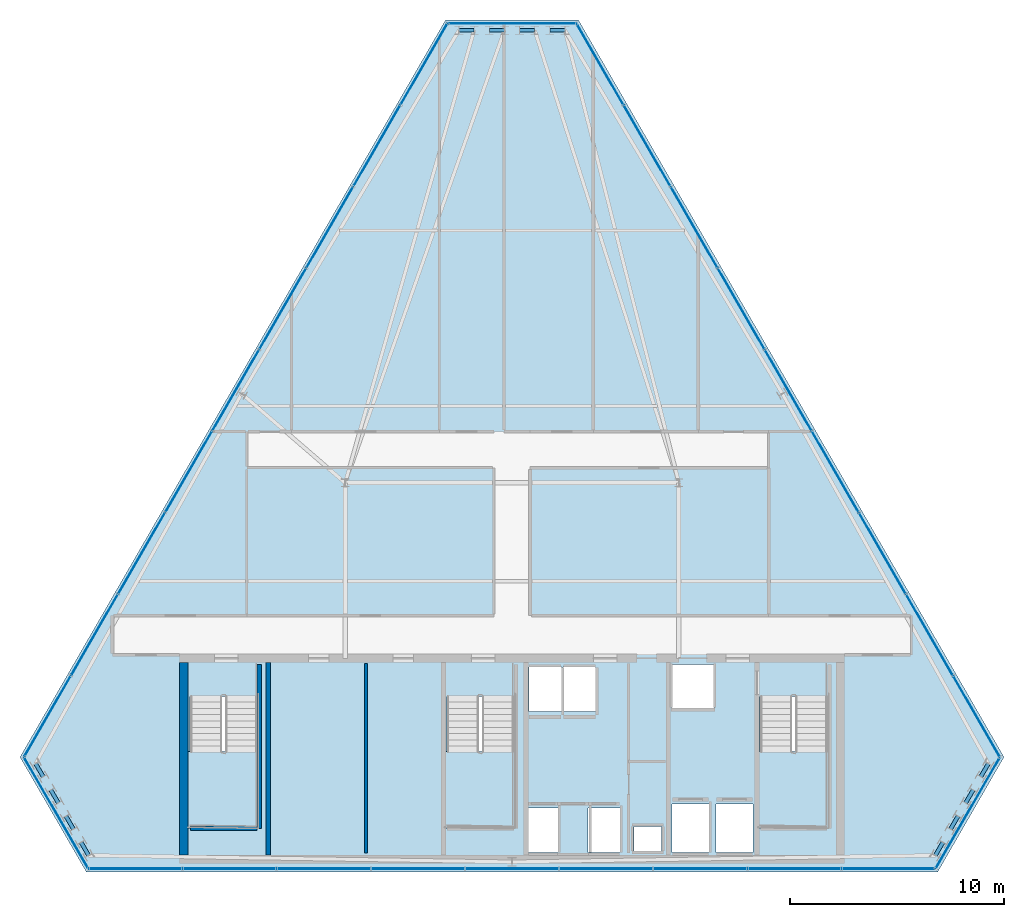
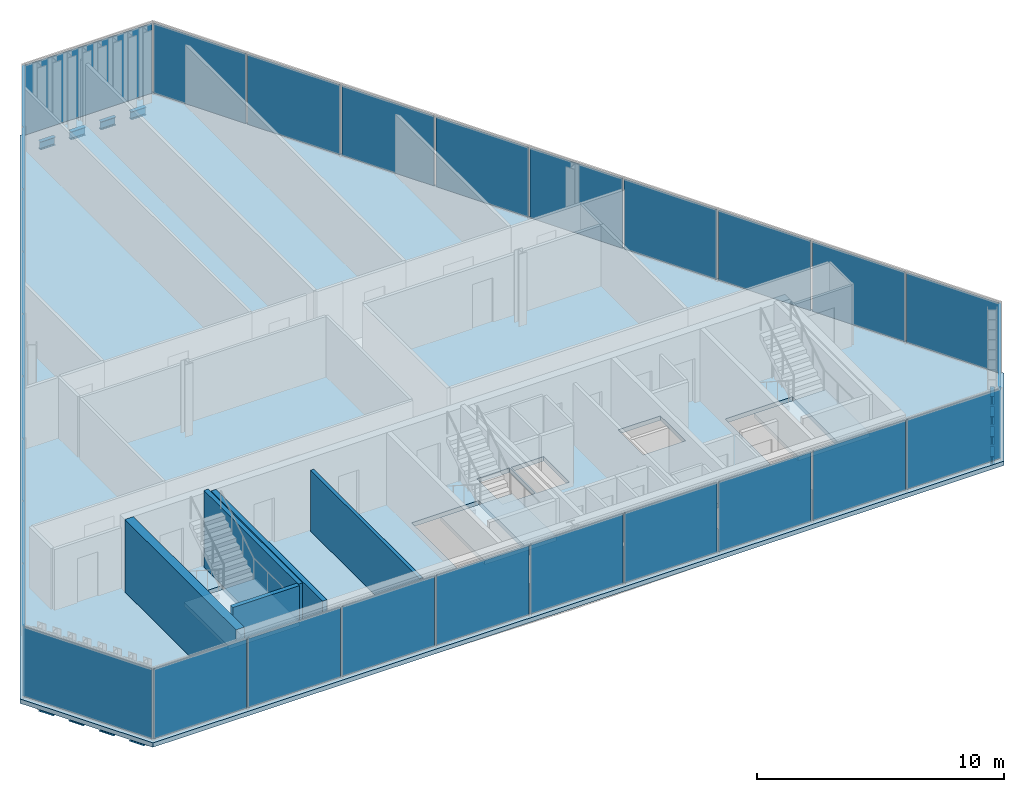
# One storey, part 26 of 32: 30 plates, 12 beams, 5 walls, 4 slabs, 9 elements without a shape of their own.
"""IFC4 building model written with IfcOpenShell, lengths in metres."""

from ifc_helpers import new_model, si_unit, direction, frame, frame_2d, origin, origin_2d, place, context, subcontext, project, spatial, polyline, rectangle, i_section, outline, extrude, material, layer, layer_set, material_profile, profile_set, type_object, element, aggregate, save


model = new_model("IFC4")

# Units and contexts
model_context = context("Model", 3, precision=1e-05, world=origin(), true_north=direction((0.0, 1.0)))
body_context = subcontext(model_context, "Body", "Model", "MODEL_VIEW")
ifc_project = project(units=[si_unit("LENGTHUNIT", "METRE"), si_unit("AREAUNIT", "SQUARE_METRE"), si_unit("VOLUMEUNIT", "CUBIC_METRE"), si_unit("PLANEANGLEUNIT", "RADIAN"), si_unit("MASSUNIT", "GRAM", prefix="KILO")], contexts=[model_context])

# Site, building, storey
site_placement = place(None, origin())
site = spatial("IfcSite", under=ifc_project, at=site_placement, CompositionType="ELEMENT")
building_placement = place(site_placement, origin())
building = spatial("IfcBuilding", under=site, at=building_placement, Name="Ndaravel Arena Tower", CompositionType="ELEMENT")
storey_placement = place(building_placement, frame((0.0, 0.0, 256.0)))
storey = spatial("IfcBuildingStorey", under=building, at=storey_placement, Name="L62", CompositionType="ELEMENT", Elevation=256.0)

# Beams
ifc_material_1 = material(Name="Steel S355", Category="steel")
ifc_material_profile = material_profile(ifc_material_1, i_section(OverallWidth=0.179931640625, OverallDepth=0.39990234375, WebThickness=0.008544921875, FlangeThickness=0.013427734375, FilletRadius=0.02099609375, at=origin_2d()), Name="IPE 400")
ifc_profile_set = profile_set([ifc_material_profile], Name="Steel S355")
beam_type = type_object("IfcBeamType", Name="BM-SPAN-IPE400", PredefinedType="SPANDREL", material=ifc_profile_set)
for number, where, z_axis, x_axis, name in (
    (1, (61.794921875, 5.7861328125, -0.419921875), (0.500110831701, 0.865961405616, 0.0), (-0.865961405616, 0.500110831701, 0.0), "L62 Perimeter Spandrel Beam SP-02"),
    (2, (62.502197265625, 7.01123046875, -0.419921875), (0.499851946404, 0.866110865696, 0.0), (-0.866110865696, 0.499851946404, 0.0), "L62 Perimeter Spandrel Beam SP-04"),
    (3, (63.20947265625, 8.236083984375, -0.419921875), (0.499851946404, 0.866110865696, 0.0), (-0.866110865696, 0.499851946404, 0.0), "L62 Perimeter Spandrel Beam SP-06"),
):
    element("IfcBeam", number, at=place(storey_placement, frame(where, z_axis=z_axis, x_axis=x_axis)), inside=storey, type_object=beam_type, Name=name, PredefinedType="SPANDREL", context=body_context, shape_type="SweptSolid", body=[
        extrude(i_section(OverallWidth=0.179931640625, OverallDepth=0.39990234375, WebThickness=0.008544921875, FlangeThickness=0.013427734375, FilletRadius=0.02099609375, at=origin_2d()), origin(), (0.0, 0.0, 1.0), 0.707275390625),
    ])
beam_1_placement = place(storey_placement, frame((63.916748046875, 9.461181640625, -0.419921875), z_axis=(0.500001430823, 0.866024577697, 0.0), x_axis=(-0.866024577697, 0.500001430823, 0.0)))
element("IfcBeam", 4, at=beam_1_placement, inside=storey, type_object=beam_type, Name="L62 Perimeter Spandrel Beam SP-08", PredefinedType="SPANDREL", context=body_context, shape_type="SweptSolid", body=[
    extrude(i_section(OverallWidth=0.179931640625, OverallDepth=0.39990234375, WebThickness=0.008544921875, FlangeThickness=0.013427734375, FilletRadius=0.02099609375, at=origin_2d()), origin(), (0.0, 0.0, 1.0), 0.70703125),
])
for number, where, z_axis, x_axis, name in (
    (5, (44.475341796875, 44.359619140625, -0.419921875), (-1.0, 0.0, 0.0), (0.0, -1.0, 0.0), "L62 Perimeter Spandrel Beam SP-11"),
    (6, (43.060791015625, 44.359619140625, -0.419921875), (-1.0, 0.0, 0.0), (0.0, -1.0, 0.0), "L62 Perimeter Spandrel Beam SP-13"),
    (7, (41.646484375, 44.359619140625, -0.419921875), (-1.0, 0.0, 0.0), (0.0, -1.0, 0.0), "L62 Perimeter Spandrel Beam SP-15"),
    (8, (40.23193359375, 44.359619140625, -0.419921875), (-1.0, 0.0, 0.0), (0.0, -1.0, 0.0), "L62 Perimeter Spandrel Beam SP-17"),
):
    element("IfcBeam", number, at=place(storey_placement, frame(where, z_axis=z_axis, x_axis=x_axis)), inside=storey, type_object=beam_type, Name=name, PredefinedType="SPANDREL", context=body_context, shape_type="SweptSolid", body=[
        extrude(i_section(OverallWidth=0.179931640625, OverallDepth=0.39990234375, WebThickness=0.008544921875, FlangeThickness=0.013427734375, FilletRadius=0.02099609375, at=origin_2d()), origin(), (0.0, 0.0, 1.0), 0.707275390625),
    ])
beam_2_placement = place(storey_placement, frame((19.729736328125, 10.073486328125, -0.419921875), z_axis=(0.500001430823, -0.866024577697, 0.0), x_axis=(0.866024577697, 0.500001430823, 0.0)))
element("IfcBeam", 9, at=beam_2_placement, inside=storey, type_object=beam_type, Name="L62 Perimeter Spandrel Beam SP-20", PredefinedType="SPANDREL", context=body_context, shape_type="SweptSolid", body=[
    extrude(i_section(OverallWidth=0.179931640625, OverallDepth=0.39990234375, WebThickness=0.008544921875, FlangeThickness=0.013427734375, FilletRadius=0.02099609375, at=origin_2d()), origin(), (0.0, 0.0, 1.0), 0.70703125),
])
for number, where, z_axis, x_axis, name in (
    (10, (20.43701171875, 8.8486328125, -0.419921875), (0.499851946404, -0.866110865696, 0.0), (0.866110865696, 0.499851946404, 0.0), "L62 Perimeter Spandrel Beam SP-22"),
    (11, (21.144287109375, 7.623779296875, -0.419921875), (0.499851946404, -0.866110865696, 0.0), (0.866110865696, 0.499851946404, 0.0), "L62 Perimeter Spandrel Beam SP-24"),
    (12, (21.851318359375, 6.398681640625, -0.419921875), (0.500110831701, -0.865961405616, 0.0), (0.865961405616, 0.500110831701, 0.0), "L62 Perimeter Spandrel Beam SP-26"),
):
    element("IfcBeam", number, at=place(storey_placement, frame(where, z_axis=z_axis, x_axis=x_axis)), inside=storey, type_object=beam_type, Name=name, PredefinedType="SPANDREL", context=body_context, shape_type="SweptSolid", body=[
        extrude(i_section(OverallWidth=0.179931640625, OverallDepth=0.39990234375, WebThickness=0.008544921875, FlangeThickness=0.013427734375, FilletRadius=0.02099609375, at=origin_2d()), origin(), (0.0, 0.0, 1.0), 0.707275390625),
    ])

# Curtain wall, plate
ifc_material_2 = material(Name="Aluminium", Category="aluminium")
ifc_layer_1 = layer(ifc_material_2, 0.179931640625)
ifc_layer_set_1 = layer_set([ifc_layer_1], Name="Aluminium")
curtain_wall_type_1 = type_object("IfcCurtainWallType", Name="CW-SYS-01", PredefinedType="NOTDEFINED", material=ifc_layer_set_1)
curtain_wall_1_placement = place(storey_placement, origin())
curtain_wall_1 = element("IfcCurtainWall", 13, at=curtain_wall_1_placement, inside=storey, type_object=curtain_wall_type_1, Name="L62 Faceted Crystal Curtain Wall CW-L62-E02", PredefinedType="NOTDEFINED")
ifc_material_3 = material(Name="Glazing", Category="glass")
ifc_layer_2 = layer(ifc_material_3, 0.031982421875)
ifc_layer_set_2 = layer_set([ifc_layer_2], Name="Glazing")
plate_type_1 = type_object("IfcPlateType", Name="PLT-GLZ-FRIT35", PredefinedType="CURTAIN_PANEL", material=ifc_layer_set_2)
plate_1_placement = place(storey_placement, frame((63.309814453125, 7.77001953125, 0.06005859375), z_axis=(0.0, 0.0, 1.0), x_axis=(0.5, 0.866025403784, 0.0)))
plate_1 = element("IfcPlate", 14, at=plate_1_placement, type_object=plate_type_1, Name="CW-L62-E02 Vision Glass Panel 01", PredefinedType="CURTAIN_PANEL", context=body_context, shape_type="SweptSolid", body=[
    extrude(rectangle(XDim=5.947265625, YDim=0.035888671875, at=origin_2d()), origin(), (0.0, 0.0, 1.0), 3.4599609375),
])
aggregate(curtain_wall_1, [plate_1])

curtain_wall_2_placement = place(storey_placement, origin())
curtain_wall_2 = element("IfcCurtainWall", 15, at=curtain_wall_2_placement, inside=storey, type_object=curtain_wall_type_1, Name="L62 Faceted Crystal Curtain Wall CW-L62-E04", PredefinedType="NOTDEFINED")
plate_2_placement = place(storey_placement, frame((42.0, 44.679443359375, 0.06005859375), z_axis=(0.0, 0.0, 1.0), x_axis=(-1.0, 0.0, 0.0)))
plate_2 = element("IfcPlate", 16, at=plate_2_placement, type_object=plate_type_1, Name="CW-L62-E04 Vision Glass Panel 01", PredefinedType="CURTAIN_PANEL", context=body_context, shape_type="SweptSolid", body=[
    extrude(rectangle(XDim=5.947509765625, YDim=0.035888671875, at=origin_2d()), origin(), (0.0, 0.0, 1.0), 3.4599609375),
])
aggregate(curtain_wall_2, [plate_2])

ifc_material_4 = material(Name="Aluminium", Category="aluminium")
ifc_layer_3 = layer(ifc_material_4, 0.179931640625)
ifc_layer_set_3 = layer_set([ifc_layer_3], Name="Aluminium")
curtain_wall_type_2 = type_object("IfcCurtainWallType", Name="CW-SYS-02", PredefinedType="NOTDEFINED", material=ifc_layer_set_3)
curtain_wall_3_placement = place(storey_placement, origin())
curtain_wall_3 = element("IfcCurtainWall", 17, at=curtain_wall_3_placement, inside=storey, type_object=curtain_wall_type_2, Name="L62 Faceted Crystal Curtain Wall CW-L62-E06", PredefinedType="NOTDEFINED")
ifc_material_5 = material(Name="Glazing", Category="glass")
ifc_layer_4 = layer(ifc_material_5, 0.035888671875)
ifc_layer_set_4 = layer_set([ifc_layer_4], Name="Glazing")
plate_type_2 = type_object("IfcPlateType", Name="PLT-GLZ-FRIT55", PredefinedType="CURTAIN_PANEL", material=ifc_layer_set_4)
plate_3_placement = place(storey_placement, frame((20.690185546875, 7.77001953125, 0.06005859375), z_axis=(0.0, 0.0, 1.0), x_axis=(0.5, -0.866025403784, 0.0)))
plate_3 = element("IfcPlate", 18, at=plate_3_placement, type_object=plate_type_2, Name="CW-L62-E06 Vision Glass Panel 01", PredefinedType="CURTAIN_PANEL", context=body_context, shape_type="SweptSolid", body=[
    extrude(rectangle(XDim=5.947265625, YDim=0.035888671875, at=origin_2d()), origin(), (0.0, 0.0, 1.0), 3.4599609375),
])
aggregate(curtain_wall_3, [plate_3])

# Curtain wall, plates
ifc_material_6 = material(Name="Aluminium", Category="aluminium")
ifc_layer_5 = layer(ifc_material_6, 0.179931640625)
ifc_layer_set_5 = layer_set([ifc_layer_5], Name="Aluminium")
curtain_wall_type_3 = type_object("IfcCurtainWallType", Name="CW-SYS-03", PredefinedType="NOTDEFINED", material=ifc_layer_set_5)
curtain_wall_4_placement = place(storey_placement, origin())
curtain_wall_4 = element("IfcCurtainWall", 19, at=curtain_wall_4_placement, inside=storey, type_object=curtain_wall_type_3, Name="L62 Faceted Crystal Curtain Wall CW-L62-E01", PredefinedType="NOTDEFINED")
ifc_material_7 = material(Name="Glazing", Category="glass")
ifc_layer_6 = layer(ifc_material_7, 0.0400390625)
ifc_layer_set_6 = layer_set([ifc_layer_6], Name="Glazing")
plate_type_3 = type_object("IfcPlateType", Name="PLT-GLZ-LOWIRON", PredefinedType="CURTAIN_PANEL", material=ifc_layer_set_6)
plate_4_placement = place(storey_placement, frame((24.3974609375, 5.159912109375, 0.06005859375), z_axis=(0.0, 0.0, 1.0), x_axis=(1.0, 0.0, 0.0)))
plate_4 = element("IfcPlate", 20, at=plate_4_placement, type_object=plate_type_3, Name="CW-L62-E01 Vision Glass Panel 01", PredefinedType="CURTAIN_PANEL", context=body_context, shape_type="SweptSolid", body=[
    extrude(rectangle(XDim=4.320556640625, YDim=0.035888671875, at=origin_2d()), origin(), (0.0, 0.0, 1.0), 3.4599609375),
])
plate_5_placement = place(storey_placement, frame((28.798095703125, 5.159912109375, 0.06005859375), z_axis=(0.0, 0.0, 1.0), x_axis=(1.0, 0.0, 0.0)))
plate_5 = element("IfcPlate", 21, at=plate_5_placement, type_object=plate_type_3, Name="CW-L62-E01 Vision Glass Panel 02", PredefinedType="CURTAIN_PANEL", context=body_context, shape_type="SweptSolid", body=[
    extrude(rectangle(XDim=4.320556640625, YDim=0.035888671875, at=origin_2d()), origin(), (0.0, 0.0, 1.0), 3.4599609375),
])
plate_6_placement = place(storey_placement, frame((33.19873046875, 5.159912109375, 0.06005859375), z_axis=(0.0, 0.0, 1.0), x_axis=(1.0, 0.0, 0.0)))
plate_6 = element("IfcPlate", 22, at=plate_6_placement, type_object=plate_type_3, Name="CW-L62-E01 Vision Glass Panel 03", PredefinedType="CURTAIN_PANEL", context=body_context, shape_type="SweptSolid", body=[
    extrude(rectangle(XDim=4.320556640625, YDim=0.035888671875, at=origin_2d()), origin(), (0.0, 0.0, 1.0), 3.4599609375),
])
plate_7_placement = place(storey_placement, frame((37.599365234375, 5.159912109375, 0.06005859375), z_axis=(0.0, 0.0, 1.0), x_axis=(1.0, 0.0, 0.0)))
plate_7 = element("IfcPlate", 23, at=plate_7_placement, type_object=plate_type_3, Name="CW-L62-E01 Vision Glass Panel 04", PredefinedType="CURTAIN_PANEL", context=body_context, shape_type="SweptSolid", body=[
    extrude(rectangle(XDim=4.320556640625, YDim=0.035888671875, at=origin_2d()), origin(), (0.0, 0.0, 1.0), 3.4599609375),
])
plate_8_placement = place(storey_placement, frame((42.0, 5.159912109375, 0.06005859375), z_axis=(0.0, 0.0, 1.0), x_axis=(1.0, 0.0, 0.0)))
plate_8 = element("IfcPlate", 24, at=plate_8_placement, type_object=plate_type_3, Name="CW-L62-E01 Vision Glass Panel 05", PredefinedType="CURTAIN_PANEL", context=body_context, shape_type="SweptSolid", body=[
    extrude(rectangle(XDim=4.320556640625, YDim=0.035888671875, at=origin_2d()), origin(), (0.0, 0.0, 1.0), 3.4599609375),
])
plate_9_placement = place(storey_placement, frame((46.400634765625, 5.159912109375, 0.06005859375), z_axis=(0.0, 0.0, 1.0), x_axis=(1.0, 0.0, 0.0)))
plate_9 = element("IfcPlate", 25, at=plate_9_placement, type_object=plate_type_3, Name="CW-L62-E01 Vision Glass Panel 06", PredefinedType="CURTAIN_PANEL", context=body_context, shape_type="SweptSolid", body=[
    extrude(rectangle(XDim=4.320556640625, YDim=0.035888671875, at=origin_2d()), origin(), (0.0, 0.0, 1.0), 3.4599609375),
])
plate_10_placement = place(storey_placement, frame((50.80126953125, 5.159912109375, 0.06005859375), z_axis=(0.0, 0.0, 1.0), x_axis=(1.0, 0.0, 0.0)))
plate_10 = element("IfcPlate", 26, at=plate_10_placement, type_object=plate_type_3, Name="CW-L62-E01 Vision Glass Panel 07", PredefinedType="CURTAIN_PANEL", context=body_context, shape_type="SweptSolid", body=[
    extrude(rectangle(XDim=4.320556640625, YDim=0.035888671875, at=origin_2d()), origin(), (0.0, 0.0, 1.0), 3.4599609375),
])
plate_11_placement = place(storey_placement, frame((55.201904296875, 5.159912109375, 0.06005859375), z_axis=(0.0, 0.0, 1.0), x_axis=(1.0, 0.0, 0.0)))
plate_11 = element("IfcPlate", 27, at=plate_11_placement, type_object=plate_type_3, Name="CW-L62-E01 Vision Glass Panel 08", PredefinedType="CURTAIN_PANEL", context=body_context, shape_type="SweptSolid", body=[
    extrude(rectangle(XDim=4.320556640625, YDim=0.035888671875, at=origin_2d()), origin(), (0.0, 0.0, 1.0), 3.4599609375),
])
plate_12_placement = place(storey_placement, frame((59.6025390625, 5.159912109375, 0.06005859375), z_axis=(0.0, 0.0, 1.0), x_axis=(1.0, 0.0, 0.0)))
plate_12 = element("IfcPlate", 28, at=plate_12_placement, type_object=plate_type_3, Name="CW-L62-E01 Vision Glass Panel 09", PredefinedType="CURTAIN_PANEL", context=body_context, shape_type="SweptSolid", body=[
    extrude(rectangle(XDim=4.320556640625, YDim=0.035888671875, at=origin_2d()), origin(), (0.0, 0.0, 1.0), 3.4599609375),
])
aggregate(curtain_wall_4, [plate_4, plate_5, plate_6, plate_7, plate_8, plate_9, plate_10, plate_11, plate_12])

curtain_wall_5_placement = place(storey_placement, origin())
curtain_wall_5 = element("IfcCurtainWall", 29, at=curtain_wall_5_placement, inside=storey, type_object=curtain_wall_type_3, Name="L62 Faceted Crystal Curtain Wall CW-L62-E03", PredefinedType="NOTDEFINED")
plate_13_placement = place(storey_placement, frame((63.71630859375, 12.285400390625, 0.06005859375), z_axis=(0.0, 0.0, 1.0), x_axis=(-0.5, 0.866025403784, 0.0)))
plate_13 = element("IfcPlate", 30, at=plate_13_placement, type_object=plate_type_3, Name="CW-L62-E03 Vision Glass Panel 01", PredefinedType="CURTAIN_PANEL", context=body_context, shape_type="SweptSolid", body=[
    extrude(rectangle(XDim=4.32080078125, YDim=0.035888671875, at=origin_2d()), origin(), (0.0, 0.0, 1.0), 3.4599609375),
])
plate_14_placement = place(storey_placement, frame((61.51611328125, 16.096435546875, 0.06005859375), z_axis=(0.0, 0.0, 1.0), x_axis=(-0.5, 0.866025403784, 0.0)))
plate_14 = element("IfcPlate", 31, at=plate_14_placement, type_object=plate_type_3, Name="CW-L62-E03 Vision Glass Panel 02", PredefinedType="CURTAIN_PANEL", context=body_context, shape_type="SweptSolid", body=[
    extrude(rectangle(XDim=4.32080078125, YDim=0.035888671875, at=origin_2d()), origin(), (0.0, 0.0, 1.0), 3.4599609375),
])
plate_15_placement = place(storey_placement, frame((59.31591796875, 19.907470703125, 0.06005859375), z_axis=(0.0, 0.0, 1.0), x_axis=(-0.5, 0.866025403784, 0.0)))
plate_15 = element("IfcPlate", 32, at=plate_15_placement, type_object=plate_type_3, Name="CW-L62-E03 Vision Glass Panel 03", PredefinedType="CURTAIN_PANEL", context=body_context, shape_type="SweptSolid", body=[
    extrude(rectangle(XDim=4.32080078125, YDim=0.035888671875, at=origin_2d()), origin(), (0.0, 0.0, 1.0), 3.4599609375),
])
plate_16_placement = place(storey_placement, frame((57.115478515625, 23.718505859375, 0.06005859375), z_axis=(0.0, 0.0, 1.0), x_axis=(-0.5, 0.866025403784, 0.0)))
plate_16 = element("IfcPlate", 33, at=plate_16_placement, type_object=plate_type_3, Name="CW-L62-E03 Vision Glass Panel 04", PredefinedType="CURTAIN_PANEL", context=body_context, shape_type="SweptSolid", body=[
    extrude(rectangle(XDim=4.32080078125, YDim=0.035888671875, at=origin_2d()), origin(), (0.0, 0.0, 1.0), 3.4599609375),
])
plate_17_placement = place(storey_placement, frame((54.9150390625, 27.52978515625, 0.06005859375), z_axis=(0.0, 0.0, 1.0), x_axis=(-0.5, 0.866025403784, 0.0)))
plate_17 = element("IfcPlate", 34, at=plate_17_placement, type_object=plate_type_3, Name="CW-L62-E03 Vision Glass Panel 05", PredefinedType="CURTAIN_PANEL", context=body_context, shape_type="SweptSolid", body=[
    extrude(rectangle(XDim=4.32080078125, YDim=0.035888671875, at=origin_2d()), origin(), (0.0, 0.0, 1.0), 3.4599609375),
])
plate_18_placement = place(storey_placement, frame((52.71484375, 31.3408203125, 0.06005859375), z_axis=(0.0, 0.0, 1.0), x_axis=(-0.5, 0.866025403784, 0.0)))
plate_18 = element("IfcPlate", 35, at=plate_18_placement, type_object=plate_type_3, Name="CW-L62-E03 Vision Glass Panel 06", PredefinedType="CURTAIN_PANEL", context=body_context, shape_type="SweptSolid", body=[
    extrude(rectangle(XDim=4.32080078125, YDim=0.035888671875, at=origin_2d()), origin(), (0.0, 0.0, 1.0), 3.4599609375),
])
plate_19_placement = place(storey_placement, frame((50.514404296875, 35.15185546875, 0.06005859375), z_axis=(0.0, 0.0, 1.0), x_axis=(-0.5, 0.866025403784, 0.0)))
plate_19 = element("IfcPlate", 36, at=plate_19_placement, type_object=plate_type_3, Name="CW-L62-E03 Vision Glass Panel 07", PredefinedType="CURTAIN_PANEL", context=body_context, shape_type="SweptSolid", body=[
    extrude(rectangle(XDim=4.32080078125, YDim=0.035888671875, at=origin_2d()), origin(), (0.0, 0.0, 1.0), 3.4599609375),
])
plate_20_placement = place(storey_placement, frame((48.314208984375, 38.962890625, 0.06005859375), z_axis=(0.0, 0.0, 1.0), x_axis=(-0.5, 0.866025403784, 0.0)))
plate_20 = element("IfcPlate", 37, at=plate_20_placement, type_object=plate_type_3, Name="CW-L62-E03 Vision Glass Panel 08", PredefinedType="CURTAIN_PANEL", context=body_context, shape_type="SweptSolid", body=[
    extrude(rectangle(XDim=4.32080078125, YDim=0.035888671875, at=origin_2d()), origin(), (0.0, 0.0, 1.0), 3.4599609375),
])
plate_21_placement = place(storey_placement, frame((46.114013671875, 42.77392578125, 0.06005859375), z_axis=(0.0, 0.0, 1.0), x_axis=(-0.5, 0.866025403784, 0.0)))
plate_21 = element("IfcPlate", 38, at=plate_21_placement, type_object=plate_type_3, Name="CW-L62-E03 Vision Glass Panel 09", PredefinedType="CURTAIN_PANEL", context=body_context, shape_type="SweptSolid", body=[
    extrude(rectangle(XDim=4.32080078125, YDim=0.035888671875, at=origin_2d()), origin(), (0.0, 0.0, 1.0), 3.4599609375),
])
aggregate(curtain_wall_5, [plate_13, plate_14, plate_15, plate_16, plate_17, plate_18, plate_19, plate_20, plate_21])

curtain_wall_6_placement = place(storey_placement, origin())
curtain_wall_6 = element("IfcCurtainWall", 39, at=curtain_wall_6_placement, inside=storey, type_object=curtain_wall_type_3, Name="L62 Faceted Crystal Curtain Wall CW-L62-E05", PredefinedType="NOTDEFINED")
plate_22_placement = place(storey_placement, frame((37.885986328125, 42.77392578125, 0.06005859375), z_axis=(0.0, 0.0, 1.0), x_axis=(-0.5, -0.866025403784, 0.0)))
plate_22 = element("IfcPlate", 40, at=plate_22_placement, type_object=plate_type_3, Name="CW-L62-E05 Vision Glass Panel 01", PredefinedType="CURTAIN_PANEL", context=body_context, shape_type="SweptSolid", body=[
    extrude(rectangle(XDim=4.32080078125, YDim=0.035888671875, at=origin_2d()), origin(), (0.0, 0.0, 1.0), 3.4599609375),
])
plate_23_placement = place(storey_placement, frame((35.685791015625, 38.962890625, 0.06005859375), z_axis=(0.0, 0.0, 1.0), x_axis=(-0.5, -0.866025403784, 0.0)))
plate_23 = element("IfcPlate", 41, at=plate_23_placement, type_object=plate_type_3, Name="CW-L62-E05 Vision Glass Panel 02", PredefinedType="CURTAIN_PANEL", context=body_context, shape_type="SweptSolid", body=[
    extrude(rectangle(XDim=4.32080078125, YDim=0.035888671875, at=origin_2d()), origin(), (0.0, 0.0, 1.0), 3.4599609375),
])
plate_24_placement = place(storey_placement, frame((33.485595703125, 35.15185546875, 0.06005859375), z_axis=(0.0, 0.0, 1.0), x_axis=(-0.5, -0.866025403784, 0.0)))
plate_24 = element("IfcPlate", 42, at=plate_24_placement, type_object=plate_type_3, Name="CW-L62-E05 Vision Glass Panel 03", PredefinedType="CURTAIN_PANEL", context=body_context, shape_type="SweptSolid", body=[
    extrude(rectangle(XDim=4.32080078125, YDim=0.035888671875, at=origin_2d()), origin(), (0.0, 0.0, 1.0), 3.4599609375),
])
plate_25_placement = place(storey_placement, frame((31.28515625, 31.3408203125, 0.06005859375), z_axis=(0.0, 0.0, 1.0), x_axis=(-0.5, -0.866025403784, 0.0)))
plate_25 = element("IfcPlate", 43, at=plate_25_placement, type_object=plate_type_3, Name="CW-L62-E05 Vision Glass Panel 04", PredefinedType="CURTAIN_PANEL", context=body_context, shape_type="SweptSolid", body=[
    extrude(rectangle(XDim=4.32080078125, YDim=0.035888671875, at=origin_2d()), origin(), (0.0, 0.0, 1.0), 3.4599609375),
])
plate_26_placement = place(storey_placement, frame((29.084716796875, 27.529541015625, 0.06005859375), z_axis=(0.0, 0.0, 1.0), x_axis=(-0.5, -0.866025403784, 0.0)))
plate_26 = element("IfcPlate", 44, at=plate_26_placement, type_object=plate_type_3, Name="CW-L62-E05 Vision Glass Panel 05", PredefinedType="CURTAIN_PANEL", context=body_context, shape_type="SweptSolid", body=[
    extrude(rectangle(XDim=4.32080078125, YDim=0.035888671875, at=origin_2d()), origin(), (0.0, 0.0, 1.0), 3.4599609375),
])
plate_27_placement = place(storey_placement, frame((26.884521484375, 23.718505859375, 0.06005859375), z_axis=(0.0, 0.0, 1.0), x_axis=(-0.5, -0.866025403784, 0.0)))
plate_27 = element("IfcPlate", 45, at=plate_27_placement, type_object=plate_type_3, Name="CW-L62-E05 Vision Glass Panel 06", PredefinedType="CURTAIN_PANEL", context=body_context, shape_type="SweptSolid", body=[
    extrude(rectangle(XDim=4.32080078125, YDim=0.035888671875, at=origin_2d()), origin(), (0.0, 0.0, 1.0), 3.4599609375),
])
plate_28_placement = place(storey_placement, frame((24.68408203125, 19.907470703125, 0.06005859375), z_axis=(0.0, 0.0, 1.0), x_axis=(-0.5, -0.866025403784, 0.0)))
plate_28 = element("IfcPlate", 46, at=plate_28_placement, type_object=plate_type_3, Name="CW-L62-E05 Vision Glass Panel 07", PredefinedType="CURTAIN_PANEL", context=body_context, shape_type="SweptSolid", body=[
    extrude(rectangle(XDim=4.32080078125, YDim=0.035888671875, at=origin_2d()), origin(), (0.0, 0.0, 1.0), 3.4599609375),
])
plate_29_placement = place(storey_placement, frame((22.48388671875, 16.096435546875, 0.06005859375), z_axis=(0.0, 0.0, 1.0), x_axis=(-0.5, -0.866025403784, 0.0)))
plate_29 = element("IfcPlate", 47, at=plate_29_placement, type_object=plate_type_3, Name="CW-L62-E05 Vision Glass Panel 08", PredefinedType="CURTAIN_PANEL", context=body_context, shape_type="SweptSolid", body=[
    extrude(rectangle(XDim=4.32080078125, YDim=0.035888671875, at=origin_2d()), origin(), (0.0, 0.0, 1.0), 3.4599609375),
])
plate_30_placement = place(storey_placement, frame((20.28369140625, 12.285400390625, 0.06005859375), z_axis=(0.0, 0.0, 1.0), x_axis=(-0.5, -0.866025403784, 0.0)))
plate_30 = element("IfcPlate", 48, at=plate_30_placement, type_object=plate_type_3, Name="CW-L62-E05 Vision Glass Panel 09", PredefinedType="CURTAIN_PANEL", context=body_context, shape_type="SweptSolid", body=[
    extrude(rectangle(XDim=4.32080078125, YDim=0.035888671875, at=origin_2d()), origin(), (0.0, 0.0, 1.0), 3.4599609375),
])
aggregate(curtain_wall_6, [plate_22, plate_23, plate_24, plate_25, plate_26, plate_27, plate_28, plate_29, plate_30])

# Stair, slab
ifc_material_8 = material(Name="Concrete C40/50", Category="concrete")
stair_type = type_object("IfcStairType", Name="STAIR-CORE-HT", PredefinedType="HALF_TURN_STAIR", material=ifc_material_8)
stair_1_placement = place(storey_placement, origin())
stair_1 = element("IfcStair", 49, at=stair_1_placement, inside=storey, type_object=stair_type, Name="L62 ST-1", PredefinedType="HALF_TURN_STAIR")
ifc_material_9 = material(Name="Concrete C40/50", Category="concrete")
ifc_layer_7 = layer(ifc_material_9, 0.199951171875)
ifc_layer_set_7 = layer_set([ifc_layer_7], Name="Concrete C40/50")
slab_type_1 = type_object("IfcSlabType", Name="SLAB-STAIR-LANDING", PredefinedType="LANDING", material=ifc_layer_set_7)
slab_1_placement = place(storey_placement, frame((0.0, 0.0, 1.699951171875)))
slab_1 = element("IfcSlab", 50, at=slab_1_placement, type_object=slab_type_1, Name="ST-1 landing 1", PredefinedType="LANDING", context=body_context, shape_type="SweptSolid", body=[
    extrude(outline(polyline([(26.81005859375, 10.6298828125), (26.81005859375, 7.070068359375), (30.169921875, 7.070068359375), (30.169921875, 10.6298828125), (26.81005859375, 10.6298828125)])), origin(), (0.0, 0.0, 1.0), 0.199951171875),
])
aggregate(stair_1, [slab_1])

stair_2_placement = place(storey_placement, origin())
stair_2 = element("IfcStair", 51, at=stair_2_placement, inside=storey, type_object=stair_type, Name="L62 ST-2", PredefinedType="HALF_TURN_STAIR")
slab_2_placement = place(storey_placement, frame((0.0, 0.0, 1.699951171875)))
slab_2 = element("IfcSlab", 52, at=slab_2_placement, type_object=slab_type_1, Name="ST-2 landing 1", PredefinedType="LANDING", context=body_context, shape_type="SweptSolid", body=[
    extrude(outline(polyline([(38.81005859375, 10.6298828125), (38.81005859375, 7.070068359375), (42.169921875, 7.070068359375), (42.169921875, 10.6298828125), (38.81005859375, 10.6298828125)])), origin(), (0.0, 0.0, 1.0), 0.199951171875),
])
aggregate(stair_2, [slab_2])

stair_3_placement = place(storey_placement, origin())
stair_3 = element("IfcStair", 53, at=stair_3_placement, inside=storey, type_object=stair_type, Name="L62 ST-3", PredefinedType="HALF_TURN_STAIR")
slab_3_placement = place(storey_placement, frame((0.0, 0.0, 1.699951171875)))
slab_3 = element("IfcSlab", 54, at=slab_3_placement, type_object=slab_type_1, Name="ST-3 landing 1", PredefinedType="LANDING", context=body_context, shape_type="SweptSolid", body=[
    extrude(outline(polyline([(53.4599609375, 10.6298828125), (53.4599609375, 7.070068359375), (56.820068359375, 7.070068359375), (56.820068359375, 10.6298828125), (53.4599609375, 10.6298828125)])), origin(), (0.0, 0.0, 1.0), 0.199951171875),
])
aggregate(stair_3, [slab_3])

# Slab
ifc_material_10 = material(Name="Concrete C40/50", Category="concrete")
ifc_layer_8 = layer(ifc_material_10, 0.219970703125)
ifc_layer_set_8 = layer_set([ifc_layer_8], Name="Concrete C40/50")
slab_type_2 = type_object("IfcSlabType", Name="SLAB-TWR-220", PredefinedType="FLOOR", material=ifc_layer_set_8)
slab_4_placement = place(storey_placement, frame((0.0, 0.0, -0.219970703125)))
element("IfcSlab", 55, at=slab_4_placement, inside=storey, type_object=slab_type_2, Name="L62 Structural Floor Slab", PredefinedType="FLOOR", context=body_context, shape_type="SweptSolid", body=[
    extrude(outline(polyline([(18.99853515625, 10.3798828125), (22.104736328125, 5.0), (61.895263671875, 5.0), (65.00146484375, 10.3798828125), (45.106201171875, 44.839599609375), (38.893798828125, 44.839599609375), (18.99853515625, 10.3798828125)]), holes=[polyline([(26.949951171875, 13.215087890625), (26.949951171875, 7.14990234375), (30.090087890625, 7.14990234375), (30.090087890625, 13.215087890625), (26.949951171875, 13.215087890625)]), polyline([(38.949951171875, 13.215087890625), (38.949951171875, 7.14990234375), (42.090087890625, 7.14990234375), (42.090087890625, 13.215087890625), (38.949951171875, 13.215087890625)]), polyline([(53.60009765625, 13.215087890625), (53.60009765625, 7.14990234375), (56.739990234375, 7.14990234375), (56.739990234375, 13.215087890625), (53.60009765625, 13.215087890625)]), polyline([(42.659912109375, 5.909912109375), (44.139892578125, 5.909912109375), (44.139892578125, 7.989990234375), (42.659912109375, 7.989990234375), (42.659912109375, 5.909912109375)]), polyline([(45.56005859375, 5.909912109375), (47.0400390625, 5.909912109375), (47.0400390625, 7.989990234375), (45.56005859375, 7.989990234375), (45.56005859375, 5.909912109375)]), polyline([(42.784912109375, 12.510009765625), (44.31494140625, 12.510009765625), (44.31494140625, 14.590087890625), (42.784912109375, 14.590087890625), (42.784912109375, 12.510009765625)]), polyline([(44.385009765625, 12.510009765625), (45.9150390625, 12.510009765625), (45.9150390625, 14.590087890625), (44.385009765625, 14.590087890625), (44.385009765625, 12.510009765625)]), polyline([(49.485107421875, 5.909912109375), (51.215087890625, 5.909912109375), (51.215087890625, 8.18994140625), (49.485107421875, 8.18994140625), (49.485107421875, 5.909912109375)]), polyline([(51.534912109375, 5.909912109375), (53.264892578125, 5.909912109375), (53.264892578125, 8.18994140625), (51.534912109375, 8.18994140625), (51.534912109375, 5.909912109375)]), polyline([(49.4599609375, 12.68505859375), (51.43994140625, 12.68505859375), (51.43994140625, 14.715087890625), (49.4599609375, 14.715087890625), (49.4599609375, 12.68505859375)]), polyline([(47.699951171875, 6.0), (49.0, 6.0), (49.0, 7.139892578125), (47.699951171875, 7.139892578125), (47.699951171875, 6.0)])]), origin(), (0.0, 0.0, 1.0), 0.219970703125),
])

# Walls
ifc_material_11 = material(Name="Gypsum", Category="gypsum")
ifc_layer_9 = layer(ifc_material_11, 0.14990234375)
ifc_layer_set_9 = layer_set([ifc_layer_9], Name="Gypsum")
wall_type_1 = type_object("IfcWallType", Name="WALL-COMP-150", PredefinedType="PARTITIONING", material=ifc_layer_set_9)
wall_1_placement = place(storey_placement, frame((35.179931640625, 5.89990234375, 0.0), z_axis=(0.0, 0.0, 1.0), x_axis=(0.0, 1.0, 0.0)))
element("IfcWall", 56, at=wall_1_placement, inside=storey, type_object=wall_type_1, Name="L62 High-Zone Core Divider 1", PredefinedType="PARTITIONING", context=body_context, shape_type="SweptSolid", body=[
    extrude(rectangle(XDim=8.85009765625, YDim=0.14990234375, at=frame_2d((4.425048828125, 0.0))), origin(), (0.0, 0.0, 1.0), 3.010498046875),
])
ifc_material_12 = material(Name="Concrete C50/60", Category="concrete")
ifc_layer_10 = layer(ifc_material_12, 0.219970703125)
ifc_layer_set_10 = layer_set([ifc_layer_10], Name="Concrete C50/60")
wall_type_2 = type_object("IfcWallType", Name="WALL-CORE-220", PredefinedType="SOLIDWALL", material=ifc_layer_set_10)
wall_2_placement = place(storey_placement, frame((30.60009765625, 5.800048828125, 0.0), z_axis=(0.0, 0.0, 1.0), x_axis=(0.0, 1.0, 0.0)))
element("IfcWall", 57, at=wall_2_placement, inside=storey, type_object=wall_type_2, Name="L62 Core Web Shear Wall 1", PredefinedType="SOLIDWALL", context=body_context, shape_type="SweptSolid", body=[
    extrude(rectangle(XDim=9.0, YDim=0.219970703125, at=frame_2d((4.5, 0.0))), origin(), (0.0, 0.0, 1.0), 3.580078125),
])
ifc_material_13 = material(Name="Concrete C50/60", Category="concrete")
ifc_layer_11 = layer(ifc_material_13, 0.39990234375)
ifc_layer_set_11 = layer_set([ifc_layer_11], Name="Concrete C50/60")
wall_type_3 = type_object("IfcWallType", Name="WALL-CORE-400", PredefinedType="SOLIDWALL", material=ifc_layer_set_11)
wall_3_placement = place(storey_placement, frame((26.64990234375, 5.800048828125, 0.0), z_axis=(0.0, 0.0, 1.0), x_axis=(0.0, 1.0, 0.0)))
element("IfcWall", 58, at=wall_3_placement, inside=storey, type_object=wall_type_3, Name="L62 Core West Shear Wall", PredefinedType="SOLIDWALL", context=body_context, shape_type="SweptSolid", body=[
    extrude(rectangle(XDim=9.0, YDim=0.39990234375, at=frame_2d((4.5, 0.0))), origin(), (0.0, 0.0, 1.0), 3.580078125),
])
ifc_material_14 = material(Name="Concrete C40/50", Category="concrete")
ifc_layer_12 = layer(ifc_material_14, 0.199951171875)
ifc_layer_set_12 = layer_set([ifc_layer_12], Name="Concrete C40/50")
wall_type_4 = type_object("IfcWallType", Name="WALL-SHAFT-200", PredefinedType="SOLIDWALL", material=ifc_layer_set_12)
wall_4_placement = place(storey_placement, frame((30.18994140625, 14.699951171875, 0.0), z_axis=(0.0, 0.0, 1.0), x_axis=(0.0, -1.0, 0.0)))
element("IfcWall", 59, at=wall_4_placement, inside=storey, type_object=wall_type_4, Name="L62 ST-1 Structural Shaft Wall Right", PredefinedType="SOLIDWALL", context=body_context, shape_type="SweptSolid", body=[
    extrude(rectangle(XDim=7.64990234375, YDim=0.199951171875, at=frame_2d((3.824951171875, 0.0))), origin(), (0.0, 0.0, 1.0), 3.800048828125),
])
wall_5_placement = place(storey_placement, frame((26.969970703125, 7.050048828125, 0.0), z_axis=(0.0, 0.0, 1.0), x_axis=(1.0, 0.0, 0.0)))
element("IfcWall", 60, at=wall_5_placement, inside=storey, type_object=wall_type_4, Name="L62 ST-1 Structural Shaft Wall Far", PredefinedType="SOLIDWALL", context=body_context, shape_type="SweptSolid", body=[
    extrude(rectangle(XDim=3.114990234375, YDim=0.199951171875, at=frame_2d((1.5576171875, 0.0))), origin(), (0.0, 0.0, 1.0), 3.800048828125),
])

save(model, "model.ifc")
